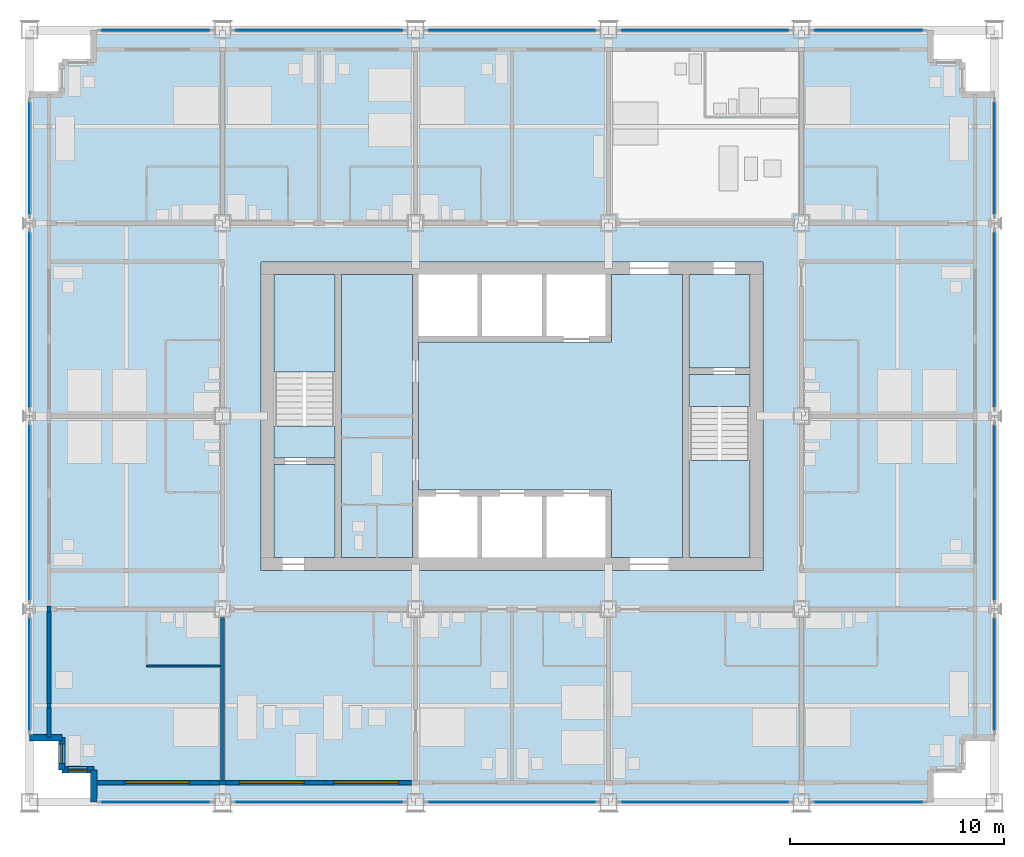
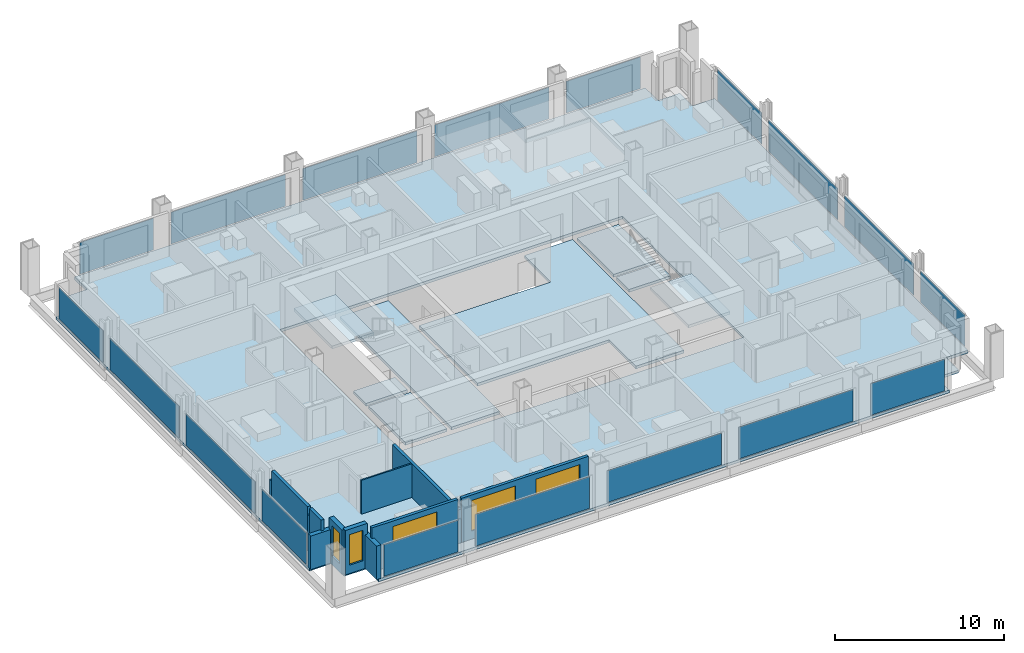
# One storey, part 8 of 16: 18 plates, 13 walls, 9 slabs, 5 windows, 5 openings, 20 elements without a shape of their own.
"""IFC4 building model written with IfcOpenShell, lengths in metres."""

from ifc_helpers import new_model, si_unit, direction, frame, frame_2d, origin, origin_2d, place, context, subcontext, project, spatial, polyline, rectangle, outline, extrude, material, layer, layer_set, type_object, element, fill, aggregate, save


model = new_model("IFC4")

# Units and contexts
model_context = context("Model", 3, precision=1e-05, world=origin(), true_north=direction((0.0, 1.0)))
body_context = subcontext(model_context, "Body", "Model", "MODEL_VIEW")
ifc_project = project(units=[si_unit("LENGTHUNIT", "METRE"), si_unit("AREAUNIT", "SQUARE_METRE"), si_unit("VOLUMEUNIT", "CUBIC_METRE"), si_unit("PLANEANGLEUNIT", "RADIAN"), si_unit("MASSUNIT", "GRAM", prefix="KILO")], contexts=[model_context])

# Site, building, storey
site_placement = place(None, origin())
site = spatial("IfcSite", under=ifc_project, at=site_placement, CompositionType="ELEMENT")
building_placement = place(site_placement, origin())
building = spatial("IfcBuilding", under=site, at=building_placement, Name="Loomwork Tower", CompositionType="ELEMENT")
storey_placement = place(building_placement, frame((0.0, 0.0, 131.60009765625)))
storey = spatial("IfcBuildingStorey", under=building, at=storey_placement, Name="L35", CompositionType="ELEMENT", Elevation=131.60009765625)

# Slabs
ifc_material_1 = material(Name="Concrete 5000 psi (34 MPa) on composite metal deck", Category="concrete")
ifc_layer_1 = layer(ifc_material_1, 0.199951171875)
ifc_layer_set_1 = layer_set([ifc_layer_1], Name="Floor slab 200")
slab_type_1 = type_object("IfcSlabType", Name="Floor slab 200", PredefinedType="FLOOR", material=ifc_layer_set_1)
slab_1_placement = place(storey_placement, frame((0.0, 0.0, -0.2001953125)))
element("IfcSlab", 1, at=slab_1_placement, inside=storey, type_object=slab_type_1, Name="Floor slab L35", PredefinedType="FLOOR", context=body_context, shape_type="SweptSolid", body=[
    extrude(outline(polyline([(3.0, 1.5), (1.5, 1.5), (1.5, 3.0), (0.0, 3.0), (0.0, 33.0), (1.5, 33.0), (1.5, 34.5), (3.0, 34.5), (3.0, 36.0), (42.0, 36.0), (42.0, 34.5), (43.5, 34.5), (43.5, 33.0), (45.0, 33.0), (45.0, 3.0), (43.5, 3.0), (43.5, 1.5), (42.0, 1.5), (42.0, 0.0), (3.0, 0.0), (3.0, 1.5)]), holes=[polyline([(10.800048828125, 11.39990234375), (10.800048828125, 11.39990234375), (10.800048828125, 10.800048828125), (34.199951171875, 10.800048828125), (34.199951171875, 11.39990234375), (34.199951171875, 11.39990234375), (34.199951171875, 24.60009765625), (34.199951171875, 25.199951171875), (10.800048828125, 25.199951171875), (10.800048828125, 24.60009765625), (10.800048828125, 11.39990234375)])]), origin(), (0.0, 0.0, 1.0), 0.2001953125),
])
slab_2_placement = place(storey_placement, frame((0.0, 0.0, -0.2001953125)))
element("IfcSlab", 2, at=slab_2_placement, inside=storey, type_object=slab_type_1, Name="Floor slab L35", PredefinedType="FLOOR", context=body_context, shape_type="SweptSolid", body=[
    extrude(outline(polyline([(30.449951171875, 24.60009765625), (30.449951171875, 11.39990234375), (27.14990234375, 11.39990234375), (27.14990234375, 14.25), (27.14990234375, 14.550048828125), (18.14990234375, 14.550048828125), (18.14990234375, 21.449951171875), (27.14990234375, 21.449951171875), (27.14990234375, 21.75), (27.14990234375, 24.60009765625), (30.449951171875, 24.60009765625)])), origin(), (0.0, 0.0, 1.0), 0.2001953125),
])
slab_3_placement = place(storey_placement, frame((0.0, 0.0, -0.2001953125)))
element("IfcSlab", 3, at=slab_3_placement, inside=storey, type_object=slab_type_1, Name="Floor slab L35", PredefinedType="FLOOR", context=body_context, shape_type="SweptSolid", body=[
    extrude(outline(polyline([(14.550048828125, 11.39990234375), (14.550048828125, 24.60009765625), (17.85009765625, 24.60009765625), (17.85009765625, 11.39990234375), (14.550048828125, 11.39990234375)])), origin(), (0.0, 0.0, 1.0), 0.2001953125),
])
slab_4_placement = place(storey_placement, frame((0.0, 0.0, -0.2001953125)))
element("IfcSlab", 4, at=slab_4_placement, inside=storey, type_object=slab_type_1, Name="Floor slab L35", PredefinedType="FLOOR", context=body_context, shape_type="SweptSolid", body=[
    extrude(outline(polyline([(33.60009765625, 20.25), (30.75, 20.25), (30.75, 24.60009765625), (33.60009765625, 24.60009765625), (33.60009765625, 20.25)])), origin(), (0.0, 0.0, 1.0), 0.2001953125),
])
slab_5_placement = place(storey_placement, frame((0.0, 0.0, -0.2001953125)))
element("IfcSlab", 5, at=slab_5_placement, inside=storey, type_object=slab_type_1, Name="Floor slab L35", PredefinedType="FLOOR", context=body_context, shape_type="SweptSolid", body=[
    extrude(outline(polyline([(14.25, 15.75), (14.25, 11.39990234375), (11.39990234375, 11.39990234375), (11.39990234375, 15.75), (14.25, 15.75)])), origin(), (0.0, 0.0, 1.0), 0.2001953125),
])

# Curtain wall, plate
ifc_material_2 = material(Name="Aluminium curtain wall frame", Category="aluminium")
curtain_wall_type = type_object("IfcCurtainWallType", Name="Outer skin glazing hotel", PredefinedType="NOTDEFINED", material=ifc_material_2)
curtain_wall_1_placement = place(storey_placement, origin())
curtain_wall_1 = element("IfcCurtainWall", 6, at=curtain_wall_1_placement, inside=storey, type_object=curtain_wall_type, Name="Outer skin glazing hotel cw/S-0", PredefinedType="NOTDEFINED")
ifc_material_3 = material(Name="Clear laminated glass", Category="glass")
ifc_layer_2 = layer(ifc_material_3, 0.02392578125)
ifc_layer_set_2 = layer_set([ifc_layer_2], Name="Outer skin glazing hotel panel")
plate_type = type_object("IfcPlateType", Name="Outer skin glazing hotel panel", PredefinedType="CURTAIN_PANEL", material=ifc_layer_set_2)
plate_1_placement = place(storey_placement, frame((5.875, 0.0, 0.06494140625), z_axis=(0.0, 0.0, 1.0), x_axis=(1.0, 0.0, 0.0)))
plate_1 = element("IfcPlate", 7, at=plate_1_placement, type_object=plate_type, Name="CW1 panel 1.1", PredefinedType="CURTAIN_PANEL", context=body_context, shape_type="SweptSolid", body=[
    extrude(rectangle(XDim=5.050048828125, YDim=0.02392578125, at=origin_2d()), origin(), (0.0, 0.0, 1.0), 2.290283203125),
])
aggregate(curtain_wall_1, [plate_1])

curtain_wall_2_placement = place(storey_placement, origin())
curtain_wall_2 = element("IfcCurtainWall", 8, at=curtain_wall_2_placement, inside=storey, type_object=curtain_wall_type, Name="Outer skin glazing hotel cw/S-9", PredefinedType="NOTDEFINED")
plate_2_placement = place(storey_placement, frame((13.5, 0.0, 0.06494140625), z_axis=(0.0, 0.0, 1.0), x_axis=(1.0, 0.0, 0.0)))
plate_2 = element("IfcPlate", 9, at=plate_2_placement, type_object=plate_type, Name="CW1 panel 1.1", PredefinedType="CURTAIN_PANEL", context=body_context, shape_type="SweptSolid", body=[
    extrude(rectangle(XDim=7.800048828125, YDim=0.02392578125, at=origin_2d()), origin(), (0.0, 0.0, 1.0), 2.290283203125),
])
aggregate(curtain_wall_2, [plate_2])

curtain_wall_3_placement = place(storey_placement, origin())
curtain_wall_3 = element("IfcCurtainWall", 10, at=curtain_wall_3_placement, inside=storey, type_object=curtain_wall_type, Name="Outer skin glazing hotel cw/S-18", PredefinedType="NOTDEFINED")
plate_3_placement = place(storey_placement, frame((22.5, 0.0, 0.06494140625), z_axis=(0.0, 0.0, 1.0), x_axis=(1.0, 0.0, 0.0)))
plate_3 = element("IfcPlate", 11, at=plate_3_placement, type_object=plate_type, Name="CW1 panel 1.1", PredefinedType="CURTAIN_PANEL", context=body_context, shape_type="SweptSolid", body=[
    extrude(rectangle(XDim=7.800048828125, YDim=0.02392578125, at=origin_2d()), origin(), (0.0, 0.0, 1.0), 2.290283203125),
])
aggregate(curtain_wall_3, [plate_3])

curtain_wall_4_placement = place(storey_placement, origin())
curtain_wall_4 = element("IfcCurtainWall", 12, at=curtain_wall_4_placement, inside=storey, type_object=curtain_wall_type, Name="Outer skin glazing hotel cw/S-27", PredefinedType="NOTDEFINED")
plate_4_placement = place(storey_placement, frame((31.5, 0.0, 0.06494140625), z_axis=(0.0, 0.0, 1.0), x_axis=(1.0, 0.0, 0.0)))
plate_4 = element("IfcPlate", 13, at=plate_4_placement, type_object=plate_type, Name="CW1 panel 1.1", PredefinedType="CURTAIN_PANEL", context=body_context, shape_type="SweptSolid", body=[
    extrude(rectangle(XDim=7.800048828125, YDim=0.02392578125, at=origin_2d()), origin(), (0.0, 0.0, 1.0), 2.290283203125),
])
aggregate(curtain_wall_4, [plate_4])

curtain_wall_5_placement = place(storey_placement, origin())
curtain_wall_5 = element("IfcCurtainWall", 14, at=curtain_wall_5_placement, inside=storey, type_object=curtain_wall_type, Name="Outer skin glazing hotel cw/S-36", PredefinedType="NOTDEFINED")
plate_5_placement = place(storey_placement, frame((39.125, 0.0, 0.06494140625), z_axis=(0.0, 0.0, 1.0), x_axis=(1.0, 0.0, 0.0)))
plate_5 = element("IfcPlate", 15, at=plate_5_placement, type_object=plate_type, Name="CW1 panel 1.1", PredefinedType="CURTAIN_PANEL", context=body_context, shape_type="SweptSolid", body=[
    extrude(rectangle(XDim=5.050048828125, YDim=0.02392578125, at=origin_2d()), origin(), (0.0, 0.0, 1.0), 2.290283203125),
])
aggregate(curtain_wall_5, [plate_5])

curtain_wall_6_placement = place(storey_placement, origin())
curtain_wall_6 = element("IfcCurtainWall", 16, at=curtain_wall_6_placement, inside=storey, type_object=curtain_wall_type, Name="Outer skin glazing hotel cw/N-0", PredefinedType="NOTDEFINED")
plate_6_placement = place(storey_placement, frame((5.875, 36.0, 0.06494140625), z_axis=(0.0, 0.0, 1.0), x_axis=(-1.0, 0.0, 0.0)))
plate_6 = element("IfcPlate", 17, at=plate_6_placement, type_object=plate_type, Name="CW1 panel 1.1", PredefinedType="CURTAIN_PANEL", context=body_context, shape_type="SweptSolid", body=[
    extrude(rectangle(XDim=5.050048828125, YDim=0.02392578125, at=origin_2d()), origin(), (0.0, 0.0, 1.0), 2.290283203125),
])
aggregate(curtain_wall_6, [plate_6])

curtain_wall_7_placement = place(storey_placement, origin())
curtain_wall_7 = element("IfcCurtainWall", 18, at=curtain_wall_7_placement, inside=storey, type_object=curtain_wall_type, Name="Outer skin glazing hotel cw/N-9", PredefinedType="NOTDEFINED")
plate_7_placement = place(storey_placement, frame((13.5, 36.0, 0.06494140625), z_axis=(0.0, 0.0, 1.0), x_axis=(-1.0, 0.0, 0.0)))
plate_7 = element("IfcPlate", 19, at=plate_7_placement, type_object=plate_type, Name="CW1 panel 1.1", PredefinedType="CURTAIN_PANEL", context=body_context, shape_type="SweptSolid", body=[
    extrude(rectangle(XDim=7.800048828125, YDim=0.02392578125, at=origin_2d()), origin(), (0.0, 0.0, 1.0), 2.290283203125),
])
aggregate(curtain_wall_7, [plate_7])

curtain_wall_8_placement = place(storey_placement, origin())
curtain_wall_8 = element("IfcCurtainWall", 20, at=curtain_wall_8_placement, inside=storey, type_object=curtain_wall_type, Name="Outer skin glazing hotel cw/N-18", PredefinedType="NOTDEFINED")
plate_8_placement = place(storey_placement, frame((22.5, 36.0, 0.06494140625), z_axis=(0.0, 0.0, 1.0), x_axis=(-1.0, 0.0, 0.0)))
plate_8 = element("IfcPlate", 21, at=plate_8_placement, type_object=plate_type, Name="CW1 panel 1.1", PredefinedType="CURTAIN_PANEL", context=body_context, shape_type="SweptSolid", body=[
    extrude(rectangle(XDim=7.800048828125, YDim=0.02392578125, at=origin_2d()), origin(), (0.0, 0.0, 1.0), 2.290283203125),
])
aggregate(curtain_wall_8, [plate_8])

curtain_wall_9_placement = place(storey_placement, origin())
curtain_wall_9 = element("IfcCurtainWall", 22, at=curtain_wall_9_placement, inside=storey, type_object=curtain_wall_type, Name="Outer skin glazing hotel cw/N-27", PredefinedType="NOTDEFINED")
plate_9_placement = place(storey_placement, frame((31.5, 36.0, 0.06494140625), z_axis=(0.0, 0.0, 1.0), x_axis=(-1.0, 0.0, 0.0)))
plate_9 = element("IfcPlate", 23, at=plate_9_placement, type_object=plate_type, Name="CW1 panel 1.1", PredefinedType="CURTAIN_PANEL", context=body_context, shape_type="SweptSolid", body=[
    extrude(rectangle(XDim=7.800048828125, YDim=0.02392578125, at=origin_2d()), origin(), (0.0, 0.0, 1.0), 2.290283203125),
])
aggregate(curtain_wall_9, [plate_9])

curtain_wall_10_placement = place(storey_placement, origin())
curtain_wall_10 = element("IfcCurtainWall", 24, at=curtain_wall_10_placement, inside=storey, type_object=curtain_wall_type, Name="Outer skin glazing hotel cw/N-36", PredefinedType="NOTDEFINED")
plate_10_placement = place(storey_placement, frame((39.125, 36.0, 0.06494140625), z_axis=(0.0, 0.0, 1.0), x_axis=(-1.0, 0.0, 0.0)))
plate_10 = element("IfcPlate", 25, at=plate_10_placement, type_object=plate_type, Name="CW1 panel 1.1", PredefinedType="CURTAIN_PANEL", context=body_context, shape_type="SweptSolid", body=[
    extrude(rectangle(XDim=5.050048828125, YDim=0.02392578125, at=origin_2d()), origin(), (0.0, 0.0, 1.0), 2.290283203125),
])
aggregate(curtain_wall_10, [plate_10])

curtain_wall_11_placement = place(storey_placement, origin())
curtain_wall_11 = element("IfcCurtainWall", 26, at=curtain_wall_11_placement, inside=storey, type_object=curtain_wall_type, Name="Outer skin glazing hotel cw/W-0", PredefinedType="NOTDEFINED")
plate_11_placement = place(storey_placement, frame((0.0, 5.964599609375, 0.06494140625), z_axis=(0.0, 0.0, 1.0), x_axis=(0.0, -1.0, 0.0)))
plate_11 = element("IfcPlate", 27, at=plate_11_placement, type_object=plate_type, Name="CW1 panel 1.1", PredefinedType="CURTAIN_PANEL", context=body_context, shape_type="SweptSolid", body=[
    extrude(rectangle(XDim=5.22900390625, YDim=0.02392578125, at=origin_2d()), origin(), (0.0, 0.0, 1.0), 2.290283203125),
])
aggregate(curtain_wall_11, [plate_11])

curtain_wall_12_placement = place(storey_placement, origin())
curtain_wall_12 = element("IfcCurtainWall", 28, at=curtain_wall_12_placement, inside=storey, type_object=curtain_wall_type, Name="Outer skin glazing hotel cw/W-9", PredefinedType="NOTDEFINED")
plate_12_placement = place(storey_placement, frame((0.0, 13.5, 0.06494140625), z_axis=(0.0, 0.0, 1.0), x_axis=(0.0, -1.0, 0.0)))
plate_12 = element("IfcPlate", 29, at=plate_12_placement, type_object=plate_type, Name="CW1 panel 1.1", PredefinedType="CURTAIN_PANEL", context=body_context, shape_type="SweptSolid", body=[
    extrude(rectangle(XDim=8.157958984375, YDim=0.02392578125, at=origin_2d()), origin(), (0.0, 0.0, 1.0), 2.290283203125),
])
aggregate(curtain_wall_12, [plate_12])

curtain_wall_13_placement = place(storey_placement, origin())
curtain_wall_13 = element("IfcCurtainWall", 30, at=curtain_wall_13_placement, inside=storey, type_object=curtain_wall_type, Name="Outer skin glazing hotel cw/W-18", PredefinedType="NOTDEFINED")
plate_13_placement = place(storey_placement, frame((0.0, 22.5, 0.06494140625), z_axis=(0.0, 0.0, 1.0), x_axis=(0.0, -1.0, 0.0)))
plate_13 = element("IfcPlate", 31, at=plate_13_placement, type_object=plate_type, Name="CW1 panel 1.1", PredefinedType="CURTAIN_PANEL", context=body_context, shape_type="SweptSolid", body=[
    extrude(rectangle(XDim=8.157958984375, YDim=0.02392578125, at=origin_2d()), origin(), (0.0, 0.0, 1.0), 2.290283203125),
])
aggregate(curtain_wall_13, [plate_13])

curtain_wall_14_placement = place(storey_placement, origin())
curtain_wall_14 = element("IfcCurtainWall", 32, at=curtain_wall_14_placement, inside=storey, type_object=curtain_wall_type, Name="Outer skin glazing hotel cw/W-27", PredefinedType="NOTDEFINED")
plate_14_placement = place(storey_placement, frame((0.0, 30.035400390625, 0.06494140625), z_axis=(0.0, 0.0, 1.0), x_axis=(0.0, -1.0, 0.0)))
plate_14 = element("IfcPlate", 33, at=plate_14_placement, type_object=plate_type, Name="CW1 panel 1.1", PredefinedType="CURTAIN_PANEL", context=body_context, shape_type="SweptSolid", body=[
    extrude(rectangle(XDim=5.22900390625, YDim=0.02392578125, at=origin_2d()), origin(), (0.0, 0.0, 1.0), 2.290283203125),
])
aggregate(curtain_wall_14, [plate_14])

curtain_wall_15_placement = place(storey_placement, origin())
curtain_wall_15 = element("IfcCurtainWall", 34, at=curtain_wall_15_placement, inside=storey, type_object=curtain_wall_type, Name="Outer skin glazing hotel cw/E-0", PredefinedType="NOTDEFINED")
plate_15_placement = place(storey_placement, frame((45.0, 5.964599609375, 0.06494140625), z_axis=(0.0, 0.0, 1.0), x_axis=(0.0, 1.0, 0.0)))
plate_15 = element("IfcPlate", 35, at=plate_15_placement, type_object=plate_type, Name="CW1 panel 1.1", PredefinedType="CURTAIN_PANEL", context=body_context, shape_type="SweptSolid", body=[
    extrude(rectangle(XDim=5.22900390625, YDim=0.02392578125, at=origin_2d()), origin(), (0.0, 0.0, 1.0), 2.290283203125),
])
aggregate(curtain_wall_15, [plate_15])

curtain_wall_16_placement = place(storey_placement, origin())
curtain_wall_16 = element("IfcCurtainWall", 36, at=curtain_wall_16_placement, inside=storey, type_object=curtain_wall_type, Name="Outer skin glazing hotel cw/E-9", PredefinedType="NOTDEFINED")
plate_16_placement = place(storey_placement, frame((45.0, 13.5, 0.06494140625), z_axis=(0.0, 0.0, 1.0), x_axis=(0.0, 1.0, 0.0)))
plate_16 = element("IfcPlate", 37, at=plate_16_placement, type_object=plate_type, Name="CW1 panel 1.1", PredefinedType="CURTAIN_PANEL", context=body_context, shape_type="SweptSolid", body=[
    extrude(rectangle(XDim=8.157958984375, YDim=0.02392578125, at=origin_2d()), origin(), (0.0, 0.0, 1.0), 2.290283203125),
])
aggregate(curtain_wall_16, [plate_16])

curtain_wall_17_placement = place(storey_placement, origin())
curtain_wall_17 = element("IfcCurtainWall", 38, at=curtain_wall_17_placement, inside=storey, type_object=curtain_wall_type, Name="Outer skin glazing hotel cw/E-18", PredefinedType="NOTDEFINED")
plate_17_placement = place(storey_placement, frame((45.0, 22.5, 0.06494140625), z_axis=(0.0, 0.0, 1.0), x_axis=(0.0, 1.0, 0.0)))
plate_17 = element("IfcPlate", 39, at=plate_17_placement, type_object=plate_type, Name="CW1 panel 1.1", PredefinedType="CURTAIN_PANEL", context=body_context, shape_type="SweptSolid", body=[
    extrude(rectangle(XDim=8.157958984375, YDim=0.02392578125, at=origin_2d()), origin(), (0.0, 0.0, 1.0), 2.290283203125),
])
aggregate(curtain_wall_17, [plate_17])

curtain_wall_18_placement = place(storey_placement, origin())
curtain_wall_18 = element("IfcCurtainWall", 40, at=curtain_wall_18_placement, inside=storey, type_object=curtain_wall_type, Name="Outer skin glazing hotel cw/E-27", PredefinedType="NOTDEFINED")
plate_18_placement = place(storey_placement, frame((45.0, 30.035400390625, 0.06494140625), z_axis=(0.0, 0.0, 1.0), x_axis=(0.0, 1.0, 0.0)))
plate_18 = element("IfcPlate", 41, at=plate_18_placement, type_object=plate_type, Name="CW1 panel 1.1", PredefinedType="CURTAIN_PANEL", context=body_context, shape_type="SweptSolid", body=[
    extrude(rectangle(XDim=5.22900390625, YDim=0.02392578125, at=origin_2d()), origin(), (0.0, 0.0, 1.0), 2.290283203125),
])
aggregate(curtain_wall_18, [plate_18])

# Stair, slabs
ifc_material_4 = material(Name="Concrete 5000 psi (34 MPa) precast stair", Category="concrete")
stair_type_1 = type_object("IfcStairType", Name="Stair ST-A 20 risers 2850 wide", PredefinedType="HALF_TURN_STAIR", material=ifc_material_4)
stair_1_placement = place(storey_placement, origin())
stair_1 = element("IfcStair", 42, at=stair_1_placement, inside=storey, type_object=stair_type_1, Name="Stair A L35", PredefinedType="HALF_TURN_STAIR")
ifc_material_5 = material(Name="Concrete 5000 psi (34 MPa)", Category="concrete")
ifc_layer_3 = layer(ifc_material_5, 0.199951171875)
ifc_layer_set_3 = layer_set([ifc_layer_3], Name="Stair landing 200")
slab_type_2 = type_object("IfcSlabType", Name="Stair landing 200", PredefinedType="LANDING", material=ifc_layer_set_3)
slab_6_placement = place(storey_placement, frame((0.0, 0.0, -0.2001953125)))
slab_6 = element("IfcSlab", 43, at=slab_6_placement, type_object=slab_type_2, Name="ST-A landing 1", PredefinedType="LANDING", context=body_context, shape_type="SweptSolid", body=[
    extrude(outline(polyline([(11.39990234375, 16.050048828125), (14.25, 16.050048828125), (14.25, 17.550048828125), (11.39990234375, 17.550048828125), (11.39990234375, 16.050048828125)])), origin(), (0.0, 0.0, 1.0), 0.2001953125),
])
slab_7_placement = place(storey_placement, frame((0.0, 0.0, 1.5)))
slab_7 = element("IfcSlab", 44, at=slab_7_placement, type_object=slab_type_2, Name="ST-A landing 2", PredefinedType="LANDING", context=body_context, shape_type="SweptSolid", body=[
    extrude(outline(polyline([(11.39990234375, 20.070068359375), (14.25, 20.070068359375), (14.25, 24.60009765625), (11.39990234375, 24.60009765625), (11.39990234375, 20.070068359375)])), origin(), (0.0, 0.0, 1.0), 0.199951171875),
])
aggregate(stair_1, [slab_6, slab_7])

ifc_material_6 = material(Name="Concrete 5000 psi (34 MPa) precast stair", Category="concrete")
stair_type_2 = type_object("IfcStairType", Name="Stair ST-B 20 risers 2850 wide", PredefinedType="HALF_TURN_STAIR", material=ifc_material_6)
stair_2_placement = place(storey_placement, origin())
stair_2 = element("IfcStair", 45, at=stair_2_placement, inside=storey, type_object=stair_type_2, Name="Stair B L35", PredefinedType="HALF_TURN_STAIR")
slab_8_placement = place(storey_placement, frame((0.0, 0.0, -0.2001953125)))
slab_8 = element("IfcSlab", 46, at=slab_8_placement, type_object=slab_type_2, Name="ST-B landing 1", PredefinedType="LANDING", context=body_context, shape_type="SweptSolid", body=[
    extrude(outline(polyline([(30.75, 18.449951171875), (33.60009765625, 18.449951171875), (33.60009765625, 19.949951171875), (30.75, 19.949951171875), (30.75, 18.449951171875)])), origin(), (0.0, 0.0, 1.0), 0.2001953125),
])
slab_9_placement = place(storey_placement, frame((0.0, 0.0, 1.5)))
slab_9 = element("IfcSlab", 47, at=slab_9_placement, type_object=slab_type_2, Name="ST-B landing 2", PredefinedType="LANDING", context=body_context, shape_type="SweptSolid", body=[
    extrude(outline(polyline([(30.75, 11.39990234375), (33.60009765625, 11.39990234375), (33.60009765625, 15.929931640625), (30.75, 15.929931640625), (30.75, 11.39990234375)])), origin(), (0.0, 0.0, 1.0), 0.199951171875),
])
aggregate(stair_2, [slab_8, slab_9])

# Walls
ifc_material_7 = material(Name="Cement board on steel studs", Category="steel")
ifc_layer_4 = layer(ifc_material_7, 0.10009765625)
ifc_layer_set_4 = layer_set([ifc_layer_4], Name="En-suite partition 100")
wall_type_1 = type_object("IfcWallType", Name="En-suite partition 100", PredefinedType="PARTITIONING", material=ifc_layer_set_4)
wall_1_placement = place(storey_placement, frame((5.449951171875, 6.35009765625, 0.0), z_axis=(0.0, 0.0, 1.0), x_axis=(1.0, 0.0, 0.0)))
element("IfcWall", 48, at=wall_1_placement, inside=storey, type_object=wall_type_1, Name="En-suite wall L35 room 1", PredefinedType="PARTITIONING", context=body_context, shape_type="SweptSolid", body=[
    extrude(rectangle(XDim=3.449951171875, YDim=0.10009765625, at=frame_2d((1.72509765625, 0.0))), origin(), (0.0, 0.0, 1.0), 2.43798828125),
])
ifc_material_8 = material(Name="Gypsum board on steel studs, acoustic", Category="steel")
ifc_layer_5 = layer(ifc_material_8, 0.199951171875)
ifc_layer_set_5 = layer_set([ifc_layer_5], Name="Guest room party wall 200")
wall_type_2 = type_object("IfcWallType", Name="Guest room party wall 200", PredefinedType="PARTITIONING", material=ifc_layer_set_5)
wall_2_placement = place(storey_placement, frame((9.0, 8.60009765625, 0.0), z_axis=(0.0, 0.0, 1.0), x_axis=(0.0, -1.0, 0.0)))
element("IfcWall", 49, at=wall_2_placement, inside=storey, type_object=wall_type_2, Name="Guest room party wall S 9", PredefinedType="PARTITIONING", context=body_context, shape_type="SweptSolid", body=[
    extrude(rectangle(XDim=7.60009765625, YDim=0.199951171875, at=frame_2d((3.800048828125, 0.0))), origin(), (0.0, 0.0, 1.0), 2.43798828125),
])

# Wall, opening, window
ifc_material_9 = material(Name="Insulated steel stud wall with gypsum lining", Category="steel")
ifc_layer_6 = layer(ifc_material_9, 0.199951171875)
ifc_layer_set_6 = layer_set([ifc_layer_6], Name="Inner skin wall 200")
wall_type_3 = type_object("IfcWallType", Name="Inner skin wall 200", PredefinedType="SOLIDWALL", material=ifc_layer_set_6)
wall_3_placement = place(storey_placement, frame((3.0, 0.89990234375, 0.0), z_axis=(0.0, 0.0, 1.0), x_axis=(1.0, 0.0, 0.0)))
wall_3 = element("IfcWall", 50, at=wall_3_placement, inside=storey, type_object=wall_type_3, Name="Inner skin wall S", PredefinedType="SOLIDWALL", context=body_context, shape_type="SweptSolid", body=[
    extrude(rectangle(XDim=5.86474609375, YDim=0.199951171875, at=frame_2d((2.932373046875, 0.0))), origin(), (0.0, 0.0, 1.0), 3.199951171875),
])
opening_1_placement = place(wall_3_placement, frame((1.449951171875, 0.0, 0.60009765625)))
opening_1 = element("IfcOpeningElement", 51, at=opening_1_placement, cuts=wall_3, Name="Opening CH1", PredefinedType="OPENING", context=body_context, shape_type="SweptSolid", body=[
    extrude(rectangle(XDim=3.0, YDim=2.199951171875, at=frame_2d((1.5, 1.10009765625))), frame((0.0, 0.10986328125, 0.0), z_axis=(0.0, -1.0, 0.0), x_axis=(1.0, 0.0, 0.0)), (0.0, 0.0, 1.0), 0.219970703125),
])
ifc_material_10 = material(Name="Aluminium frame with clear insulated glass", Category="aluminium")
window_type_1 = type_object("IfcWindowType", Name="Chicago window 3000", PartitioningType="TRIPLE_PANEL_VERTICAL", PredefinedType="WINDOW", material=ifc_material_10)
window_1_placement = place(opening_1_placement, origin())
window_1 = element("IfcWindow", 52, at=window_1_placement, inside=storey, type_object=window_type_1, Name="Chicago window L35 bay 1", OverallHeight=2.199951171875, OverallWidth=3.0, PartitioningType="TRIPLE_PANEL_VERTICAL", PredefinedType="WINDOW", context=body_context, shape_type="SweptSolid", body=[
    extrude(rectangle(XDim=3.0, YDim=2.199951171875, at=frame_2d((1.5, 1.10009765625))), frame((0.0, 0.030029296875, 0.0), z_axis=(0.0, -1.0, 0.0), x_axis=(1.0, 0.0, 0.0)), (0.0, 0.0, 1.0), 0.06005859375),
])
fill(opening_1, window_1)

# Walls
wall_4_placement = place(storey_placement, frame((0.89990234375, 3.0, 0.0), z_axis=(0.0, 0.0, 1.0), x_axis=(0.0, 1.0, 0.0)))
element("IfcWall", 53, at=wall_4_placement, inside=storey, type_object=wall_type_3, Name="Inner skin wall W", PredefinedType="SOLIDWALL", context=body_context, shape_type="SweptSolid", body=[
    extrude(rectangle(XDim=1.392578125, YDim=0.199951171875, at=frame_2d((0.6962890625, 0.0))), origin(), (0.0, 0.0, 1.0), 3.199951171875),
])
wall_5_placement = place(storey_placement, frame((8.86474609375, 0.89990234375, 0.0), z_axis=(0.0, 0.0, 1.0), x_axis=(1.0, 0.0, 0.0)))
element("IfcWall", 54, at=wall_5_placement, inside=storey, type_object=wall_type_3, Name="Inner skin wall S bay 2", PredefinedType="SOLIDWALL", context=body_context, shape_type="SweptSolid", body=[
    extrude(rectangle(XDim=0.2705078125, YDim=0.199951171875, at=frame_2d((0.13525390625, 0.0))), origin(), (0.0, 0.0, 1.0), 2.43798828125),
])

# Wall, openings, windows
wall_6_placement = place(storey_placement, frame((9.13525390625, 0.89990234375, 0.0), z_axis=(0.0, 0.0, 1.0), x_axis=(1.0, 0.0, 0.0)))
wall_6 = element("IfcWall", 55, at=wall_6_placement, inside=storey, type_object=wall_type_3, Name="Inner skin wall S bay 3", PredefinedType="SOLIDWALL", context=body_context, shape_type="SweptSolid", body=[
    extrude(rectangle(XDim=8.6708984375, YDim=0.199951171875, at=frame_2d((4.33544921875, 0.0))), origin(), (0.0, 0.0, 1.0), 3.199951171875),
])
opening_2_placement = place(wall_6_placement, frame((0.664794921875, 0.0, 0.60009765625)))
opening_2 = element("IfcOpeningElement", 56, at=opening_2_placement, cuts=wall_6, Name="Opening CH1", PredefinedType="OPENING", context=body_context, shape_type="SweptSolid", body=[
    extrude(rectangle(XDim=3.0, YDim=2.199951171875, at=frame_2d((1.5, 1.10009765625))), frame((0.0, 0.10986328125, 0.0), z_axis=(0.0, -1.0, 0.0), x_axis=(1.0, 0.0, 0.0)), (0.0, 0.0, 1.0), 0.219970703125),
])
opening_3_placement = place(wall_6_placement, frame((5.064697265625, 0.0, 0.60009765625)))
opening_3 = element("IfcOpeningElement", 57, at=opening_3_placement, cuts=wall_6, Name="Opening CH1", PredefinedType="OPENING", context=body_context, shape_type="SweptSolid", body=[
    extrude(rectangle(XDim=3.0, YDim=2.199951171875, at=frame_2d((1.5, 1.10009765625))), frame((0.0, 0.10986328125, 0.0), z_axis=(0.0, -1.0, 0.0), x_axis=(1.0, 0.0, 0.0)), (0.0, 0.0, 1.0), 0.219970703125),
])
window_2_placement = place(opening_2_placement, origin())
window_2 = element("IfcWindow", 58, at=window_2_placement, inside=storey, type_object=window_type_1, Name="Chicago window L35 bay 2", OverallHeight=2.199951171875, OverallWidth=3.0, PartitioningType="TRIPLE_PANEL_VERTICAL", PredefinedType="WINDOW", context=body_context, shape_type="SweptSolid", body=[
    extrude(rectangle(XDim=3.0, YDim=2.199951171875, at=frame_2d((1.5, 1.10009765625))), frame((0.0, 0.030029296875, 0.0), z_axis=(0.0, -1.0, 0.0), x_axis=(1.0, 0.0, 0.0)), (0.0, 0.0, 1.0), 0.06005859375),
])
fill(opening_2, window_2)
window_3_placement = place(opening_3_placement, origin())
window_3 = element("IfcWindow", 59, at=window_3_placement, inside=storey, type_object=window_type_1, Name="Chicago window L35 bay 2", OverallHeight=2.199951171875, OverallWidth=3.0, PartitioningType="TRIPLE_PANEL_VERTICAL", PredefinedType="WINDOW", context=body_context, shape_type="SweptSolid", body=[
    extrude(rectangle(XDim=3.0, YDim=2.199951171875, at=frame_2d((1.5, 1.10009765625))), frame((0.0, 0.030029296875, 0.0), z_axis=(0.0, -1.0, 0.0), x_axis=(1.0, 0.0, 0.0)), (0.0, 0.0, 1.0), 0.06005859375),
])
fill(opening_3, window_3)

# Walls
wall_7_placement = place(storey_placement, frame((0.89990234375, 4.392578125, 0.0), z_axis=(0.0, 0.0, 1.0), x_axis=(0.0, 1.0, 0.0)))
element("IfcWall", 60, at=wall_7_placement, inside=storey, type_object=wall_type_3, Name="Inner skin wall W bay 2", PredefinedType="SOLIDWALL", context=body_context, shape_type="SweptSolid", body=[
    extrude(rectangle(XDim=0.21484375, YDim=0.199951171875, at=frame_2d((0.107421875, 0.0))), origin(), (0.0, 0.0, 1.0), 2.660888671875),
])
wall_8_placement = place(storey_placement, frame((0.89990234375, 4.607421875, 0.0), z_axis=(0.0, 0.0, 1.0), x_axis=(0.0, 1.0, 0.0)))
element("IfcWall", 61, at=wall_8_placement, inside=storey, type_object=wall_type_3, Name="Inner skin wall W bay 3", PredefinedType="SOLIDWALL", context=body_context, shape_type="SweptSolid", body=[
    extrude(rectangle(XDim=4.25732421875, YDim=0.199951171875, at=frame_2d((2.128662109375, 0.0))), origin(), (0.0, 0.0, 1.0), 3.199951171875),
])
wall_9_placement = place(storey_placement, frame((0.89990234375, 8.86474609375, 0.0), z_axis=(0.0, 0.0, 1.0), x_axis=(0.0, 1.0, 0.0)))
element("IfcWall", 62, at=wall_9_placement, inside=storey, type_object=wall_type_3, Name="Inner skin wall W bay 4", PredefinedType="SOLIDWALL", context=body_context, shape_type="SweptSolid", body=[
    extrude(rectangle(XDim=0.2705078125, YDim=0.199951171875, at=frame_2d((0.13525390625, 0.0))), origin(), (0.0, 0.0, 1.0), 2.43798828125),
])
ifc_material_11 = material(Name="Limestone on concrete masonry", Category="masonry")
ifc_layer_7 = layer(ifc_material_11, 0.300048828125)
ifc_layer_set_7 = layer_set([ifc_layer_7], Name="Limestone corner wall 300")
wall_type_4 = type_object("IfcWallType", Name="Limestone corner wall 300", PredefinedType="SOLIDWALL", material=ifc_layer_set_7)
wall_10_placement = place(storey_placement, frame((0.0, 3.0, 0.0), z_axis=(0.0, 0.0, 1.0), x_axis=(1.0, 0.0, 0.0)))
element("IfcWall", 63, at=wall_10_placement, inside=storey, type_object=wall_type_4, Name="Stone corner wall SW 1", PredefinedType="SOLIDWALL", context=body_context, shape_type="SweptSolid", body=[
    extrude(rectangle(XDim=1.5, YDim=0.300048828125, at=frame_2d((0.75, 0.0))), origin(), (0.0, 0.0, 1.0), 2.419921875),
])

# Wall, opening, window
wall_11_placement = place(storey_placement, frame((1.5, 3.0, 0.0), z_axis=(0.0, 0.0, 1.0), x_axis=(0.0, -1.0, 0.0)))
wall_11 = element("IfcWall", 64, at=wall_11_placement, inside=storey, type_object=wall_type_4, Name="Stone corner wall SW 2", PredefinedType="SOLIDWALL", context=body_context, shape_type="SweptSolid", body=[
    extrude(rectangle(XDim=1.5, YDim=0.300048828125, at=frame_2d((0.75, 0.0))), origin(), (0.0, 0.0, 1.0), 3.199951171875),
])
opening_4_placement = place(wall_11_placement, frame((0.300048828125, 0.0, 0.60009765625)))
opening_4 = element("IfcOpeningElement", 65, at=opening_4_placement, cuts=wall_11, Name="Opening CH2", PredefinedType="OPENING", context=body_context, shape_type="SweptSolid", body=[
    extrude(rectangle(XDim=0.89990234375, YDim=2.199951171875, at=frame_2d((0.449951171875, 1.10009765625))), frame((0.0, 0.159912109375, 0.0), z_axis=(0.0, -1.0, 0.0), x_axis=(1.0, 0.0, 0.0)), (0.0, 0.0, 1.0), 0.320068359375),
])
ifc_material_12 = material(Name="Aluminium frame with clear insulated glass", Category="aluminium")
window_type_2 = type_object("IfcWindowType", Name="Corner window 900", PartitioningType="SINGLE_PANEL", PredefinedType="WINDOW", material=ifc_material_12)
window_4_placement = place(opening_4_placement, origin())
window_4 = element("IfcWindow", 66, at=window_4_placement, inside=storey, type_object=window_type_2, Name="Corner window SW", OverallHeight=2.199951171875, OverallWidth=0.89990234375, PartitioningType="SINGLE_PANEL", PredefinedType="WINDOW", context=body_context, shape_type="SweptSolid", body=[
    extrude(rectangle(XDim=0.89990234375, YDim=2.199951171875, at=frame_2d((0.449951171875, 1.10009765625))), frame((0.0, 0.030029296875, 0.0), z_axis=(0.0, -1.0, 0.0), x_axis=(1.0, 0.0, 0.0)), (0.0, 0.0, 1.0), 0.06005859375),
])
fill(opening_4, window_4)

wall_12_placement = place(storey_placement, frame((1.5, 1.5, 0.0), z_axis=(0.0, 0.0, 1.0), x_axis=(1.0, 0.0, 0.0)))
wall_12 = element("IfcWall", 67, at=wall_12_placement, inside=storey, type_object=wall_type_4, Name="Stone corner wall SW 3", PredefinedType="SOLIDWALL", context=body_context, shape_type="SweptSolid", body=[
    extrude(rectangle(XDim=1.5, YDim=0.300048828125, at=frame_2d((0.75, 0.0))), origin(), (0.0, 0.0, 1.0), 3.199951171875),
])
opening_5_placement = place(wall_12_placement, frame((0.300048828125, 0.0, 0.60009765625)))
opening_5 = element("IfcOpeningElement", 68, at=opening_5_placement, cuts=wall_12, Name="Opening CH2", PredefinedType="OPENING", context=body_context, shape_type="SweptSolid", body=[
    extrude(rectangle(XDim=0.89990234375, YDim=2.199951171875, at=frame_2d((0.449951171875, 1.10009765625))), frame((0.0, 0.159912109375, 0.0), z_axis=(0.0, -1.0, 0.0), x_axis=(1.0, 0.0, 0.0)), (0.0, 0.0, 1.0), 0.320068359375),
])
window_5_placement = place(opening_5_placement, origin())
window_5 = element("IfcWindow", 69, at=window_5_placement, inside=storey, type_object=window_type_2, Name="Corner window SW", OverallHeight=2.199951171875, OverallWidth=0.89990234375, PartitioningType="SINGLE_PANEL", PredefinedType="WINDOW", context=body_context, shape_type="SweptSolid", body=[
    extrude(rectangle(XDim=0.89990234375, YDim=2.199951171875, at=frame_2d((0.449951171875, 1.10009765625))), frame((0.0, 0.030029296875, 0.0), z_axis=(0.0, -1.0, 0.0), x_axis=(1.0, 0.0, 0.0)), (0.0, 0.0, 1.0), 0.06005859375),
])
fill(opening_5, window_5)

# Wall
wall_13_placement = place(storey_placement, frame((3.0, 1.5, 0.0), z_axis=(0.0, 0.0, 1.0), x_axis=(0.0, -1.0, 0.0)))
element("IfcWall", 70, at=wall_13_placement, inside=storey, type_object=wall_type_4, Name="Stone corner wall SW 4", PredefinedType="SOLIDWALL", context=body_context, shape_type="SweptSolid", body=[
    extrude(rectangle(XDim=1.5, YDim=0.300048828125, at=frame_2d((0.75, 0.0))), origin(), (0.0, 0.0, 1.0), 2.419921875),
])

save(model, "model.ifc")
